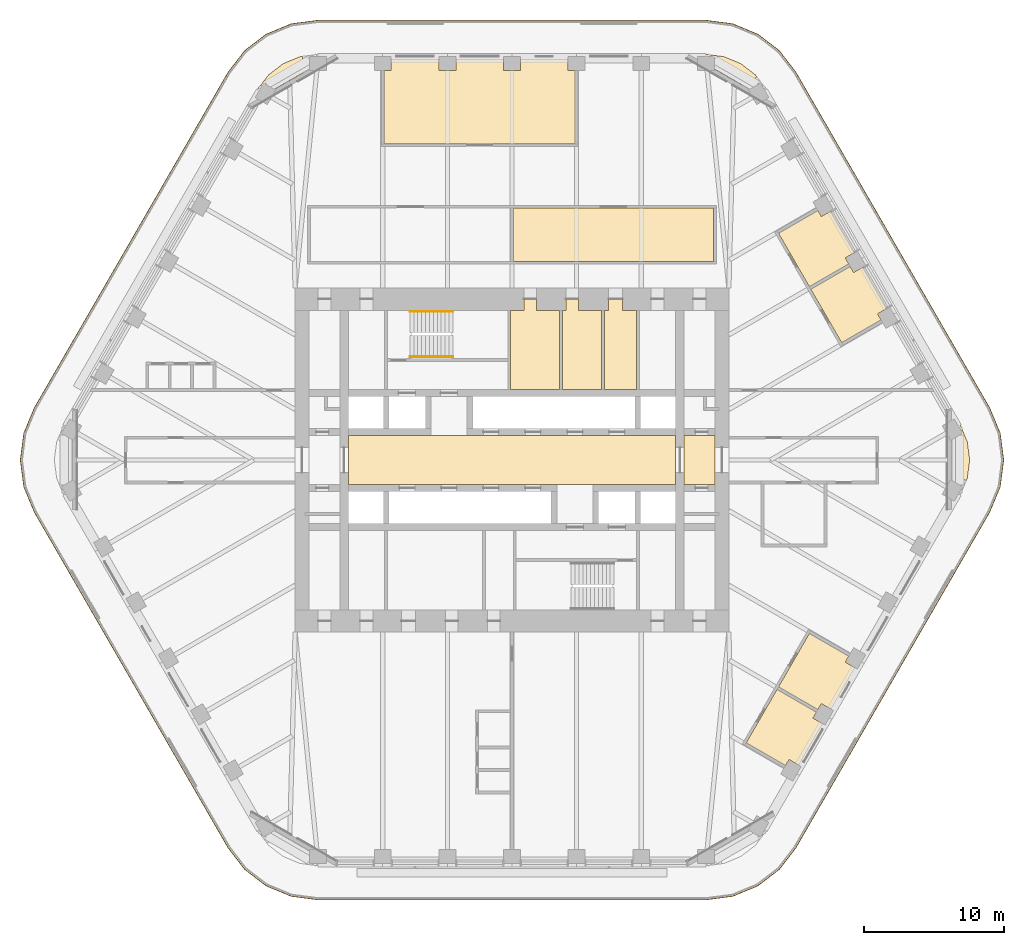
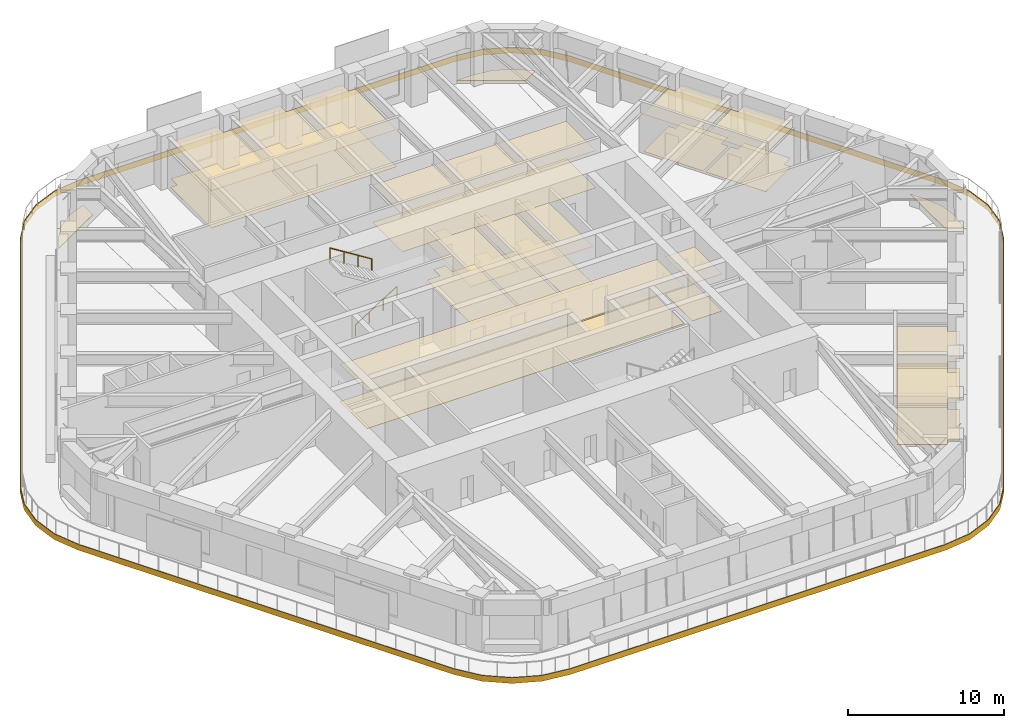
# One storey, part 19 of 20: 16 coverings, 2 railings.
"""IFC4 building model written with IfcOpenShell, lengths in metres."""

import ifcopenshell
import ifcopenshell.guid

model = None  # the IFC model being written
_history = None  # IfcOwnerHistory: only IFC2X3 demands one
_inside = {}  # id of a spatial element -> (the spatial element, [elements in it])
_under = {}  # id of a project, library or spatial element -> (it, [spatial elements below it])
_declared = {}  # id of a project -> (the project, [libraries it declares])
_typed = {}  # id of a type object -> (the type object, [elements of that type])
_made_of = {}  # id of a material, layer set ... -> (it, [elements and type objects made of it])


def new_model(schema):
    """Start an empty IFC model of exactly this schema.

    Asked for "IFC4X3", IfcOpenShell would pick the latest addendum, in which some entities
    have other attributes; the version numbers below select the first issue.
    IFC2X3 requires an IfcOwnerHistory on every rooted entity: one is made here for all.
    """
    global model, _history
    if schema == "IFC4X3":
        model = ifcopenshell.file(schema_version=(4, 3, 0, 0))
    else:
        model = ifcopenshell.file(schema=schema)
    _inside.clear()
    _under.clear()
    _declared.clear()
    _typed.clear()
    _made_of.clear()
    _history = None
    if model.schema == "IFC2X3":
        org = make("IfcOrganization", Name="unknown")
        user = make(
            "IfcPersonAndOrganization",
            ThePerson=make("IfcPerson", FamilyName="unknown"),
            TheOrganization=org,
        )
        app = make(
            "IfcApplication",
            ApplicationDeveloper=org,
            Version="unknown",
            ApplicationFullName="unknown",
            ApplicationIdentifier="unknown",
        )
        _history = make(
            "IfcOwnerHistory",
            OwningUser=user,
            OwningApplication=app,
            ChangeAction="ADDED",
            CreationDate=0,
        )
    return model


def make(cls, **values):
    """One entity of the class cls with the attributes given. An attribute that is None is left unset."""
    return model.create_entity(
        cls, **{name: value for name, value in values.items() if value is not None}
    )


def rooted(cls, **values):
    """An entity with a GlobalId (a new one), such as an element, a storey or a relation."""
    return make(cls, GlobalId=ifcopenshell.guid.new(), OwnerHistory=_history, **values)


def si_unit(unit_type, name, prefix=None):
    """IfcSIUnit, for example si_unit("LENGTHUNIT", "METRE", prefix="MILLI")."""
    return make("IfcSIUnit", UnitType=unit_type, Prefix=prefix, Name=name)


def assignment(units):
    """IfcUnitAssignment: the units of a project."""
    return None if units is None else make("IfcUnitAssignment", Units=units)


def point(xyz):
    """IfcCartesianPoint."""
    return None if xyz is None else make("IfcCartesianPoint", Coordinates=xyz)


def direction(xyz):
    """IfcDirection."""
    return None if xyz is None else make("IfcDirection", DirectionRatios=xyz)


def frame(location, z_axis=None, x_axis=None):
    """IfcAxis2Placement3D, a coordinate frame: its origin and axes. An axis left out is left unset."""
    return make(
        "IfcAxis2Placement3D",
        Location=point(location),
        Axis=direction(z_axis),
        RefDirection=direction(x_axis),
    )


def frame_2d(location, x_axis=None):
    """IfcAxis2Placement2D, a coordinate frame in the plane: its origin and x axis."""
    return make(
        "IfcAxis2Placement2D", Location=point(location), RefDirection=direction(x_axis)
    )


def origin():
    """The frame at (0, 0, 0) with its axes left unset."""
    return frame((0.0, 0.0, 0.0))


def origin_2d():
    """The frame at (0, 0) in the plane with its x axis left unset."""
    return frame_2d((0.0, 0.0))


def place(relative_to, where):
    """IfcLocalPlacement: puts the frame where relative to a parent placement (None: the world)."""
    return make(
        "IfcLocalPlacement", PlacementRelTo=relative_to, RelativePlacement=where
    )


def context(
    kind, dimensions, precision=None, world=None, true_north=None, identifier=None
):
    """IfcGeometricRepresentationContext, for example the 3D "Model" context."""
    return make(
        "IfcGeometricRepresentationContext",
        ContextIdentifier=identifier,
        ContextType=kind,
        CoordinateSpaceDimension=dimensions,
        Precision=precision,
        WorldCoordinateSystem=world,
        TrueNorth=true_north,
    )


def subcontext(parent, identifier, kind, view, scale=None):
    """IfcGeometricRepresentationSubContext, for example "Body" below "Model"."""
    return make(
        "IfcGeometricRepresentationSubContext",
        ContextIdentifier=identifier,
        ContextType=kind,
        ParentContext=parent,
        TargetScale=scale,
        TargetView=view,
    )


def project(units=None, contexts=None):
    """IfcProject with its units and contexts."""
    return rooted(
        "IfcProject",
        Name="project",
        RepresentationContexts=contexts,
        UnitsInContext=assignment(units),
    )


def spatial(cls, under=None, at=None, **own):
    """A site, building, storey or space (cls), placed at a placement, below another one or the project."""
    s = rooted(cls, ObjectPlacement=at, **own)
    if under is not None:
        _under.setdefault(under.id(), (under, []))[1].append(s)
    return s


def polyline(points):
    """IfcPolyline through the points."""
    return make("IfcPolyline", Points=[point(p) for p in points])


def profile(cls, at=None, kind="AREA", **sizes):
    """A parametric profile (cls). Its sizes go by their IFC names, for example OverallWidth=200.0."""
    return make(cls, ProfileType=kind, Position=at, **sizes)


def circle(**sizes):
    """IfcCircleProfileDef."""
    return profile("IfcCircleProfileDef", **sizes)


def outline(outer, holes=None, kind="AREA"):
    """IfcArbitraryClosedProfileDef: a profile drawn as a closed curve; with holes, ...WithVoids."""
    if holes is None:
        return make("IfcArbitraryClosedProfileDef", ProfileType=kind, OuterCurve=outer)
    return make(
        "IfcArbitraryProfileDefWithVoids",
        ProfileType=kind,
        OuterCurve=outer,
        InnerCurves=holes,
    )


def extrude(swept, where, along, depth):
    """IfcExtrudedAreaSolid: the profile swept, set in the frame where, extruded along a direction by depth."""
    return make(
        "IfcExtrudedAreaSolid",
        SweptArea=swept,
        Position=where,
        ExtrudedDirection=direction(along),
        Depth=depth,
    )


def shape(context_of_items, identifier, shape_type, items):
    """IfcShapeRepresentation: the items that make up one representation, for example the "Body"."""
    return make(
        "IfcShapeRepresentation",
        ContextOfItems=context_of_items,
        RepresentationIdentifier=identifier,
        RepresentationType=shape_type,
        Items=items,
    )


def material(Name=None, Category=None):
    """IfcMaterial."""
    return make("IfcMaterial", Name=Name, Category=Category)


def layer(
    of_material, thickness, ventilated=None, Name=None, Category=None, Priority=None
):
    """IfcMaterialLayer: one layer of a wall or slab, of a material (None: an air gap)."""
    return make(
        "IfcMaterialLayer",
        Material=of_material,
        LayerThickness=thickness,
        IsVentilated=ventilated,
        Name=Name,
        Category=Category,
        Priority=Priority,
    )


def layer_set(layers, Name=None):
    """IfcMaterialLayerSet."""
    return make("IfcMaterialLayerSet", MaterialLayers=layers, LayerSetName=Name)


def made_of(thing, what):
    """Note that an element or type object is made of a material, layer set ...; save() writes the relation."""
    if what is not None:
        _made_of.setdefault(what.id(), (what, []))[1].append(thing)
    return thing


def type_object(cls, material=None, **own):
    """A type object (cls), such as IfcWallType, which elements share."""
    return made_of(rooted(cls, **own), material)


def element(
    cls,
    number,
    at=None,
    inside=None,
    cuts=None,
    type_object=None,
    material=None,
    context=None,
    identifier="Body",
    shape_type=None,
    held_by="IfcProductDefinitionShape",
    body=None,
    shapes=None,
    **own,
):
    """One element of the class cls, such as IfcWall. Its Tag is "e" and its number.

    at: its placement. inside: the storey or other place that contains it. cuts: it is an
    opening in that element (IfcRelVoidsElement). A single representation is given by context,
    identifier, shape_type and body (its items); several are given by shapes. held_by: the class
    of the entity that holds the representations. save() writes the other relations.
    """
    e = rooted(cls, Tag="e%d" % number, ObjectPlacement=at, **own)
    if body is not None:
        shapes = [shape(context, identifier, shape_type, body)]
    if shapes is not None:
        e.Representation = make(held_by, Representations=shapes)
    if inside is not None:
        _inside.setdefault(inside.id(), (inside, []))[1].append(e)
    if cuts is not None:
        rooted(
            "IfcRelVoidsElement", RelatingBuildingElement=cuts, RelatedOpeningElement=e
        )
    if type_object is not None:
        _typed.setdefault(type_object.id(), (type_object, []))[1].append(e)
    return made_of(e, material)


def aggregate(whole, parts):
    """IfcRelAggregates: a whole, such as a stair, and the parts it consists of."""
    return rooted("IfcRelAggregates", RelatingObject=whole, RelatedObjects=parts)


def save(model, path):
    """Write the relations noted so far, then the file.

    IfcRelAggregates (storeys below a building ...), IfcRelContainedInSpatialStructure (elements
    in a storey), IfcRelDefinesByType, IfcRelAssociatesMaterial and IfcRelDeclares: one each for
    every whole, place, type object, material and project.
    """
    for whole, parts in _under.values():
        aggregate(whole, parts)
    for where, things in _inside.values():
        rooted(
            "IfcRelContainedInSpatialStructure",
            RelatedElements=things,
            RelatingStructure=where,
        )
    for kind, things in _typed.values():
        rooted("IfcRelDefinesByType", RelatedObjects=things, RelatingType=kind)
    for what, things in _made_of.values():
        rooted("IfcRelAssociatesMaterial", RelatedObjects=things, RelatingMaterial=what)
    for by, libraries in _declared.values():
        rooted("IfcRelDeclares", RelatingContext=by, RelatedDefinitions=libraries)
    model.write(path)


model = new_model("IFC4")

# Units and contexts
model_context = context("Model", 3, precision=1e-05, world=origin(), true_north=direction((0.0, 1.0)))
body_context = subcontext(model_context, "Body", "Model", "MODEL_VIEW")
ifc_project = project(units=[si_unit("LENGTHUNIT", "METRE"), si_unit("AREAUNIT", "SQUARE_METRE"), si_unit("VOLUMEUNIT", "CUBIC_METRE"), si_unit("PLANEANGLEUNIT", "RADIAN"), si_unit("MASSUNIT", "GRAM", prefix="KILO")], contexts=[model_context])

# Site, building, storey
site_placement = place(None, origin())
site = spatial("IfcSite", under=ifc_project, at=site_placement, CompositionType="ELEMENT")
building_placement = place(site_placement, origin())
building = spatial("IfcBuilding", under=site, at=building_placement, Name="Tarfa Lantern Tower", CompositionType="ELEMENT")
storey_placement = place(building_placement, frame((0.0, 0.0, 274.300048828125)))
storey = spatial("IfcBuildingStorey", under=building, at=storey_placement, Name="L62", CompositionType="ELEMENT", Elevation=274.300048828125)

# Coverings
ifc_material_1 = material(Name="Mineral fibre acoustic tile on suspension grid", Category="finish")
ifc_layer_1 = layer(ifc_material_1, 0.02001953125)
ifc_layer_set_1 = layer_set([ifc_layer_1], Name="CL1 ACOUSTIC TILE CEILING 20")
covering_type_1 = type_object("IfcCoveringType", Name="CL1 ACOUSTIC TILE CEILING 20", PredefinedType="CEILING", material=ifc_layer_set_1)
covering_1_placement = place(storey_placement, frame((0.0, 0.0, 2.89990234375)))
element("IfcCovering", 1, at=covering_1_placement, inside=storey, type_object=covering_type_1, Name="Ceiling L62 CL1", PredefinedType="CEILING", context=body_context, shape_type="SweptSolid", body=[
    extrude(outline(polyline([(4.518798828125, 22.60009765625), (-9.1376953125, 22.60009765625), (-9.1376953125, 27.85009765625), (-8.6376953125, 27.85009765625), (-8.6376953125, 28.64990234375), (-5.21875, 28.64990234375), (-5.21875, 27.85009765625), (-4.018798828125, 27.85009765625), (-4.018798828125, 28.64990234375), (-0.60009765625, 28.64990234375), (-0.60009765625, 27.85009765625), (0.60009765625, 27.85009765625), (0.60009765625, 28.64990234375), (4.018798828125, 28.64990234375), (4.018798828125, 27.85009765625), (4.518798828125, 27.85009765625), (4.518798828125, 22.60009765625)])), origin(), (0.0, 0.0, 1.0), 0.02001953125),
    extrude(outline(polyline([(21.354248046875, 12.21337890625), (24.168701171875, 13.83837890625), (24.418701171875, 13.4052734375), (25.111572265625, 13.805419921875), (26.821044921875, 10.8447265625), (26.128173828125, 10.444580078125), (26.378173828125, 10.01171875), (23.563720703125, 8.38671875), (21.354248046875, 12.21337890625)])), origin(), (0.0, 0.0, 1.0), 0.02001953125),
    extrude(outline(polyline([(19.044921875, 16.21337890625), (21.859375, 17.83837890625), (22.109375, 17.4052734375), (22.80224609375, 17.805419921875), (24.51171875, 14.8447265625), (23.81884765625, 14.444580078125), (24.06884765625, 14.01171875), (21.254150390625, 12.38671875), (19.044921875, 16.21337890625)])), origin(), (0.0, 0.0, 1.0), 0.02001953125),
    extrude(outline(polyline([(18.94482421875, -16.38671875), (21.759521484375, -18.01171875), (21.509521484375, -18.444580078125), (22.2021484375, -18.8447265625), (20.492919921875, -21.805419921875), (19.800048828125, -21.4052734375), (19.550048828125, -21.83837890625), (16.7353515625, -20.21337890625), (18.94482421875, -16.38671875)])), origin(), (0.0, 0.0, 1.0), 0.02001953125),
    extrude(outline(polyline([(21.254150390625, -12.38671875), (24.06884765625, -14.01171875), (23.81884765625, -14.444580078125), (24.51171875, -14.8447265625), (22.80224609375, -17.805419921875), (22.109375, -17.4052734375), (21.859375, -17.83837890625), (19.044921875, -16.21337890625), (21.254150390625, -12.38671875)])), origin(), (0.0, 0.0, 1.0), 0.02001953125),
    extrude(outline(polyline([(0.10009765625, 18.0), (14.39990234375, 18.0), (14.39990234375, 14.199951171875), (0.10009765625, 14.199951171875), (0.10009765625, 18.0)])), origin(), (0.0, 0.0, 1.0), 0.02001953125),
])
ifc_material_2 = material(Name="Moisture-resistant plasterboard", Category="finish")
ifc_layer_2 = layer(ifc_material_2, 0.014892578125)
ifc_layer_set_2 = layer_set([ifc_layer_2], Name="CL2 MOISTURE-RESISTANT PLASTERBOARD CEILING 15")
covering_type_2 = type_object("IfcCoveringType", Name="CL2 MOISTURE-RESISTANT PLASTERBOARD CEILING 15", PredefinedType="CEILING", material=ifc_layer_set_2)
covering_2_placement = place(storey_placement, frame((0.0, 0.0, 2.89990234375)))
element("IfcCovering", 2, at=covering_2_placement, inside=storey, type_object=covering_type_2, Name="Ceiling L62-07", PredefinedType="CEILING", context=body_context, shape_type="SweptSolid", body=[
    extrude(outline(polyline([(0.85009765625, 10.699951171875), (-0.10009765625, 10.699951171875), (-0.10009765625, 5.050048828125), (3.39990234375, 5.050048828125), (3.39990234375, 10.699951171875), (1.75, 10.699951171875), (1.75, 11.5), (0.85009765625, 11.5), (0.85009765625, 11.5), (0.85009765625, 10.699951171875)])), origin(), (0.0, 0.0, 1.0), 0.01513671875),
])
covering_3_placement = place(storey_placement, frame((0.0, 0.0, 2.89990234375)))
element("IfcCovering", 3, at=covering_3_placement, inside=storey, type_object=covering_type_2, Name="Ceiling L62-08", PredefinedType="CEILING", context=body_context, shape_type="SweptSolid", body=[
    extrude(outline(polyline([(3.60009765625, 5.050048828125), (6.39990234375, 5.050048828125), (6.39990234375, 10.699951171875), (4.75, 10.699951171875), (4.75, 11.5), (3.85009765625, 11.5), (3.85009765625, 10.699951171875), (3.60009765625, 10.699951171875), (3.60009765625, 5.050048828125)])), origin(), (0.0, 0.0, 1.0), 0.01513671875),
])
covering_4_placement = place(storey_placement, frame((0.0, 0.0, 2.89990234375)))
element("IfcCovering", 4, at=covering_4_placement, inside=storey, type_object=covering_type_2, Name="Ceiling L62-09", PredefinedType="CEILING", context=body_context, shape_type="SweptSolid", body=[
    extrude(outline(polyline([(6.60009765625, 5.050048828125), (8.89990234375, 5.050048828125), (8.89990234375, 10.699951171875), (7.89990234375, 10.699951171875), (7.89990234375, 11.5), (6.89990234375, 11.5), (6.89990234375, 10.699951171875), (6.60009765625, 10.699951171875), (6.60009765625, 5.050048828125)])), origin(), (0.0, 0.0, 1.0), 0.01513671875),
])
ifc_material_3 = material(Name="Powder-coated aluminium panel", Category="aluminium")
ifc_layer_3 = layer(ifc_material_3, 0.030029296875)
ifc_layer_set_3 = layer_set([ifc_layer_3], Name="CL3 METAL PANEL CEILING 30")
covering_type_3 = type_object("IfcCoveringType", Name="CL3 METAL PANEL CEILING 30", PredefinedType="CEILING", material=ifc_layer_set_3)
covering_5_placement = place(storey_placement, frame((0.0, 0.0, 2.89990234375)))
element("IfcCovering", 5, at=covering_5_placement, inside=storey, type_object=covering_type_3, Name="Ceiling L62-02", PredefinedType="CEILING", context=body_context, shape_type="SweptSolid", body=[
    extrude(outline(polyline([(-11.699951171875, -1.75), (11.699951171875, -1.75), (11.699951171875, 1.75), (-11.699951171875, 1.75), (-11.699951171875, -1.75)])), origin(), (0.0, 0.0, 1.0), 0.030029296875),
])
covering_6_placement = place(storey_placement, frame((0.0, 0.0, 2.89990234375)))
element("IfcCovering", 6, at=covering_6_placement, inside=storey, type_object=covering_type_3, Name="Ceiling L62-03", PredefinedType="CEILING", context=body_context, shape_type="SweptSolid", body=[
    extrude(outline(polyline([(12.300048828125, -1.75), (14.5, -1.75), (14.5, 1.75), (12.300048828125, 1.75), (12.300048828125, -1.75)])), origin(), (0.0, 0.0, 1.0), 0.030029296875),
])
ifc_material_4 = material(Name="Nylon carpet tile", Category="finish")
ifc_layer_4 = layer(ifc_material_4, 0.010009765625)
ifc_layer_set_4 = layer_set([ifc_layer_4], Name="FL1 CARPET TILE 10")
covering_type_4 = type_object("IfcCoveringType", Name="FL1 CARPET TILE 10", PredefinedType="FLOORING", material=ifc_layer_set_4)
covering_7_placement = place(storey_placement, origin())
element("IfcCovering", 7, at=covering_7_placement, inside=storey, type_object=covering_type_4, Name="Floor finish L62 FL1", PredefinedType="FLOORING", context=body_context, shape_type="SweptSolid", body=[
    extrude(outline(polyline([(4.518798828125, 22.60009765625), (-9.1376953125, 22.60009765625), (-9.1376953125, 27.85009765625), (-8.6376953125, 27.85009765625), (-8.6376953125, 28.64990234375), (-5.21875, 28.64990234375), (-5.21875, 27.85009765625), (-4.018798828125, 27.85009765625), (-4.018798828125, 28.64990234375), (-0.60009765625, 28.64990234375), (-0.60009765625, 27.85009765625), (0.60009765625, 27.85009765625), (0.60009765625, 28.64990234375), (4.018798828125, 28.64990234375), (4.018798828125, 27.85009765625), (4.518798828125, 27.85009765625), (4.518798828125, 22.60009765625)])), origin(), (0.0, 0.0, 1.0), 0.010009765625),
    extrude(outline(polyline([(21.354248046875, 12.21337890625), (24.168701171875, 13.83837890625), (24.418701171875, 13.4052734375), (25.111572265625, 13.805419921875), (26.821044921875, 10.8447265625), (26.128173828125, 10.444580078125), (26.378173828125, 10.01171875), (23.563720703125, 8.38671875), (21.354248046875, 12.21337890625)])), origin(), (0.0, 0.0, 1.0), 0.010009765625),
    extrude(outline(polyline([(19.044921875, 16.21337890625), (21.859375, 17.83837890625), (22.109375, 17.4052734375), (22.80224609375, 17.805419921875), (24.51171875, 14.8447265625), (23.81884765625, 14.444580078125), (24.06884765625, 14.01171875), (21.254150390625, 12.38671875), (19.044921875, 16.21337890625)])), origin(), (0.0, 0.0, 1.0), 0.010009765625),
    extrude(outline(polyline([(18.94482421875, -16.38671875), (21.759521484375, -18.01171875), (21.509521484375, -18.444580078125), (22.2021484375, -18.8447265625), (20.492919921875, -21.805419921875), (19.800048828125, -21.4052734375), (19.550048828125, -21.83837890625), (16.7353515625, -20.21337890625), (18.94482421875, -16.38671875)])), origin(), (0.0, 0.0, 1.0), 0.010009765625),
    extrude(outline(polyline([(21.254150390625, -12.38671875), (24.06884765625, -14.01171875), (23.81884765625, -14.444580078125), (24.51171875, -14.8447265625), (22.80224609375, -17.805419921875), (22.109375, -17.4052734375), (21.859375, -17.83837890625), (19.044921875, -16.21337890625), (21.254150390625, -12.38671875)])), origin(), (0.0, 0.0, 1.0), 0.010009765625),
    extrude(outline(polyline([(0.10009765625, 18.0), (14.39990234375, 18.0), (14.39990234375, 14.199951171875), (0.10009765625, 14.199951171875), (0.10009765625, 18.0)])), origin(), (0.0, 0.0, 1.0), 0.010009765625),
])
ifc_material_5 = material(Name="Honed limestone flooring", Category="masonry")
ifc_layer_5 = layer(ifc_material_5, 0.030029296875)
ifc_layer_set_5 = layer_set([ifc_layer_5], Name="FL2 STONE FLOORING 30")
covering_type_5 = type_object("IfcCoveringType", Name="FL2 STONE FLOORING 30", PredefinedType="FLOORING", material=ifc_layer_set_5)
covering_8_placement = place(storey_placement, origin())
element("IfcCovering", 8, at=covering_8_placement, inside=storey, type_object=covering_type_5, Name="Floor finish L62-02", PredefinedType="FLOORING", context=body_context, shape_type="SweptSolid", body=[
    extrude(outline(polyline([(-11.699951171875, -1.75), (11.699951171875, -1.75), (11.699951171875, 1.75), (-11.699951171875, 1.75), (-11.699951171875, -1.75)])), origin(), (0.0, 0.0, 1.0), 0.030029296875),
])
covering_9_placement = place(storey_placement, origin())
element("IfcCovering", 9, at=covering_9_placement, inside=storey, type_object=covering_type_5, Name="Floor finish L62-03", PredefinedType="FLOORING", context=body_context, shape_type="SweptSolid", body=[
    extrude(outline(polyline([(12.300048828125, -1.75), (14.5, -1.75), (14.5, 1.75), (12.300048828125, 1.75), (12.300048828125, -1.75)])), origin(), (0.0, 0.0, 1.0), 0.030029296875),
])
ifc_material_6 = material(Name="Porcelain floor tile", Category="finish")
ifc_layer_6 = layer(ifc_material_6, 0.011962890625)
ifc_layer_set_6 = layer_set([ifc_layer_6], Name="FL3 CERAMIC TILE 12")
covering_type_6 = type_object("IfcCoveringType", Name="FL3 CERAMIC TILE 12", PredefinedType="FLOORING", material=ifc_layer_set_6)
covering_10_placement = place(storey_placement, origin())
element("IfcCovering", 10, at=covering_10_placement, inside=storey, type_object=covering_type_6, Name="Floor finish L62-07", PredefinedType="FLOORING", context=body_context, shape_type="SweptSolid", body=[
    extrude(outline(polyline([(0.85009765625, 10.699951171875), (-0.10009765625, 10.699951171875), (-0.10009765625, 5.050048828125), (3.39990234375, 5.050048828125), (3.39990234375, 10.699951171875), (1.75, 10.699951171875), (1.75, 11.5), (0.85009765625, 11.5), (0.85009765625, 11.5), (0.85009765625, 10.699951171875)])), origin(), (0.0, 0.0, 1.0), 0.011962890625),
])
covering_11_placement = place(storey_placement, origin())
element("IfcCovering", 11, at=covering_11_placement, inside=storey, type_object=covering_type_6, Name="Floor finish L62-08", PredefinedType="FLOORING", context=body_context, shape_type="SweptSolid", body=[
    extrude(outline(polyline([(3.60009765625, 5.050048828125), (6.39990234375, 5.050048828125), (6.39990234375, 10.699951171875), (4.75, 10.699951171875), (4.75, 11.5), (3.85009765625, 11.5), (3.85009765625, 10.699951171875), (3.60009765625, 10.699951171875), (3.60009765625, 5.050048828125)])), origin(), (0.0, 0.0, 1.0), 0.011962890625),
])
covering_12_placement = place(storey_placement, origin())
element("IfcCovering", 12, at=covering_12_placement, inside=storey, type_object=covering_type_6, Name="Floor finish L62-09", PredefinedType="FLOORING", context=body_context, shape_type="SweptSolid", body=[
    extrude(outline(polyline([(6.60009765625, 5.050048828125), (8.89990234375, 5.050048828125), (8.89990234375, 10.699951171875), (7.89990234375, 10.699951171875), (7.89990234375, 11.5), (6.89990234375, 11.5), (6.89990234375, 10.699951171875), (6.60009765625, 10.699951171875), (6.60009765625, 5.050048828125)])), origin(), (0.0, 0.0, 1.0), 0.011962890625),
])

# Railings
ifc_material_7 = material(Name="Stainless steel", Category="steel")
railing_type = type_object("IfcRailingType", Name="HR1 HANDRAIL 900", PredefinedType="HANDRAIL", material=ifc_material_7)
railing_1_placement = place(storey_placement, frame((-7.300048828125, 7.3798828125, 0.175048828125)))
element("IfcRailing", 13, at=railing_1_placement, inside=storey, type_object=railing_type, Name="Handrail 1", PredefinedType="HANDRAIL", context=body_context, shape_type="SweptSolid", body=[
    extrude(circle(Radius=0.02392578125, at=origin_2d()), frame((0.0, 0.0, 0.8759765625), z_axis=(0.848028513186, 0.0, 0.529950602248), x_axis=(0.0, 1.0, 0.0)), (0.0, 0.0, 1.0), 3.632080078125),
    extrude(circle(Radius=0.02099609375, at=origin_2d()), frame((0.0, 0.0, 0.0), z_axis=(0.0, 0.0, 1.0), x_axis=(0.0, 1.0, 0.0)), (0.0, 0.0, 1.0), 0.851806640625),
    extrude(circle(Radius=0.02099609375, at=origin_2d()), frame((1.026611328125, 0.0, 0.6416015625), z_axis=(0.0, 0.0, 1.0), x_axis=(0.0, 1.0, 0.0)), (0.0, 0.0, 1.0), 0.851806640625),
    extrude(circle(Radius=0.02099609375, at=origin_2d()), frame((2.053466796875, 0.0, 1.283203125), z_axis=(0.0, 0.0, 1.0), x_axis=(0.0, 1.0, 0.0)), (0.0, 0.0, 1.0), 0.851806640625),
    extrude(circle(Radius=0.02099609375, at=origin_2d()), frame((3.080078125, 0.0, 1.9248046875), z_axis=(0.0, 0.0, 1.0), x_axis=(0.0, 1.0, 0.0)), (0.0, 0.0, 1.0), 0.851806640625),
])
railing_2_placement = place(storey_placement, frame((-4.219970703125, 10.6201171875, 2.27490234375)))
element("IfcRailing", 14, at=railing_2_placement, inside=storey, type_object=railing_type, Name="Handrail 2", PredefinedType="HANDRAIL", context=body_context, shape_type="SweptSolid", body=[
    extrude(circle(Radius=0.02392578125, at=origin_2d()), frame((0.0, 0.0, 0.8759765625), z_axis=(-0.847998304005, 0.0, 0.529998940003), x_axis=(0.0, -1.0, 0.0)), (0.0, 0.0, 1.0), 3.632080078125),
    extrude(circle(Radius=0.02099609375, at=origin_2d()), frame((0.0, 0.0, 0.0), z_axis=(0.0, 0.0, 1.0), x_axis=(0.0, -1.0, 0.0)), (0.0, 0.0, 1.0), 0.851806640625),
    extrude(circle(Radius=0.02099609375, at=origin_2d()), frame((-1.026611328125, 0.0, 0.6416015625), z_axis=(0.0, 0.0, 1.0), x_axis=(0.0, -1.0, 0.0)), (0.0, 0.0, 1.0), 0.851806640625),
    extrude(circle(Radius=0.02099609375, at=origin_2d()), frame((-2.053466796875, 0.0, 1.283447265625), z_axis=(0.0, 0.0, 1.0), x_axis=(0.0, -1.0, 0.0)), (0.0, 0.0, 1.0), 0.851806640625),
    extrude(circle(Radius=0.02099609375, at=origin_2d()), frame((-3.080078125, 0.0, 1.925048828125), z_axis=(0.0, 0.0, 1.0), x_axis=(0.0, -1.0, 0.0)), (0.0, 0.0, 1.0), 0.851806640625),
])

# Coverings
ifc_material_8 = material(Name="Porcelain pavers on pedestals", Category="ceramic")
ifc_layer_7 = layer(ifc_material_8, 0.0400390625)
ifc_layer_set_7 = layer_set([ifc_layer_7], Name="LP1 LOGGIA PAVING 40")
covering_type_7 = type_object("IfcCoveringType", Name="LP1 LOGGIA PAVING 40", PredefinedType="FLOORING", material=ifc_layer_set_7)
covering_13_placement = place(storey_placement, origin())
element("IfcCovering", 15, at=covering_13_placement, inside=storey, type_object=covering_type_7, Name="Sky garden paving NE-N", PredefinedType="FLOORING", context=body_context, shape_type="SweptSolid", body=[
    extrude(outline(polyline([(15.150390625, 28.82958984375), (16.3564453125, 28.330078125), (17.391845703125, 27.53564453125), (17.51123046875, 27.380126953125), (16.4765625, 26.782958984375), (12.641357421875, 28.997314453125), (12.64306640625, 29.0), (13.8564453125, 29.0), (15.150390625, 28.82958984375)])), origin(), (0.0, 0.0, 1.0), 0.0400390625),
])
covering_14_placement = place(storey_placement, origin())
element("IfcCovering", 16, at=covering_14_placement, inside=storey, type_object=covering_type_7, Name="Sky garden paving N-NW", PredefinedType="FLOORING", context=body_context, shape_type="SweptSolid", body=[
    extrude(outline(polyline([(-17.391845703125, 27.53564453125), (-16.3564453125, 28.330078125), (-15.150390625, 28.82958984375), (-14.956298828125, 28.855224609375), (-14.956298828125, 27.66064453125), (-18.791748046875, 25.4462890625), (-18.793212890625, 25.44921875), (-18.1865234375, 26.5), (-17.391845703125, 27.53564453125)])), origin(), (0.0, 0.0, 1.0), 0.0400390625),
])
covering_15_placement = place(storey_placement, origin())
element("IfcCovering", 17, at=covering_15_placement, inside=storey, type_object=covering_type_7, Name="Sky garden paving SE-NE", PredefinedType="FLOORING", context=body_context, shape_type="SweptSolid", body=[
    extrude(outline(polyline([(32.54248046875, 1.294189453125), (32.712890625, 0.0), (32.54248046875, -1.294189453125), (32.467529296875, -1.474853515625), (31.43310546875, -0.877685546875), (31.43310546875, 3.55078125), (31.436279296875, 3.55078125), (32.04296875, 2.5), (32.54248046875, 1.294189453125)])), origin(), (0.0, 0.0, 1.0), 0.0400390625),
])
ifc_material_9 = material(Name="Limestone cladding on brackets", Category="masonry")
ifc_layer_8 = layer(ifc_material_9, 0.050048828125)
ifc_layer_set_8 = layer_set([ifc_layer_8], Name="SB1 STONE BAND CLADDING 50")
covering_type_8 = type_object("IfcCoveringType", Name="SB1 STONE BAND CLADDING 50", PredefinedType="CLADDING", material=ifc_layer_set_8)
covering_16_placement = place(storey_placement, frame((0.0, 0.0, -0.400146484375)))
element("IfcCovering", 18, at=covering_16_placement, inside=storey, type_object=covering_type_8, Name="Stone band", PredefinedType="CLADDING", context=body_context, shape_type="SweptSolid", body=[
    extrude(outline(polyline([(34.164794921875, 3.72509765625), (20.308349609375, 27.72509765625), (19.124267578125, 29.26806640625), (17.581298828125, 30.451904296875), (15.78466796875, 31.196044921875), (13.8564453125, 31.449951171875), (-13.8564453125, 31.449951171875), (-15.78466796875, 31.196044921875), (-17.581298828125, 30.451904296875), (-19.124267578125, 29.26806640625), (-20.308349609375, 27.72509765625), (-34.164794921875, 3.72509765625), (-34.908935546875, 1.92822265625), (-35.162841796875, 0.0), (-34.908935546875, -1.92822265625), (-34.164794921875, -3.72509765625), (-20.308349609375, -27.72509765625), (-19.124267578125, -29.26806640625), (-17.581298828125, -30.451904296875), (-15.78466796875, -31.196044921875), (-13.8564453125, -31.449951171875), (13.8564453125, -31.449951171875), (15.78466796875, -31.196044921875), (17.581298828125, -30.451904296875), (19.124267578125, -29.26806640625), (20.308349609375, -27.72509765625), (34.164794921875, -3.72509765625), (34.908935546875, -1.92822265625), (35.162841796875, 0.0), (34.908935546875, 1.92822265625), (34.164794921875, 3.72509765625)]), holes=[polyline([(34.121337890625, 3.699951171875), (20.264892578125, 27.699951171875), (19.089111328125, 29.232666015625), (17.556396484375, 30.40869140625), (15.771728515625, 31.14794921875), (13.8564453125, 31.39990234375), (-13.8564453125, 31.39990234375), (-15.771728515625, 31.14794921875), (-17.556396484375, 30.40869140625), (-19.089111328125, 29.232666015625), (-20.264892578125, 27.699951171875), (-34.121337890625, 3.699951171875), (-34.860595703125, 1.915283203125), (-35.11279296875, 0.0), (-34.860595703125, -1.915283203125), (-34.121337890625, -3.699951171875), (-20.264892578125, -27.699951171875), (-19.089111328125, -29.232666015625), (-17.556396484375, -30.40869140625), (-15.771728515625, -31.14794921875), (-13.8564453125, -31.39990234375), (13.8564453125, -31.39990234375), (15.771728515625, -31.14794921875), (17.556396484375, -30.40869140625), (19.089111328125, -29.232666015625), (20.264892578125, -27.699951171875), (34.121337890625, -3.699951171875), (34.860595703125, -1.915283203125), (35.11279296875, 0.0), (34.860595703125, 1.915283203125), (34.121337890625, 3.699951171875)])]), origin(), (0.0, 0.0, 1.0), 0.4501953125),
])

save(model, "model.ifc")
